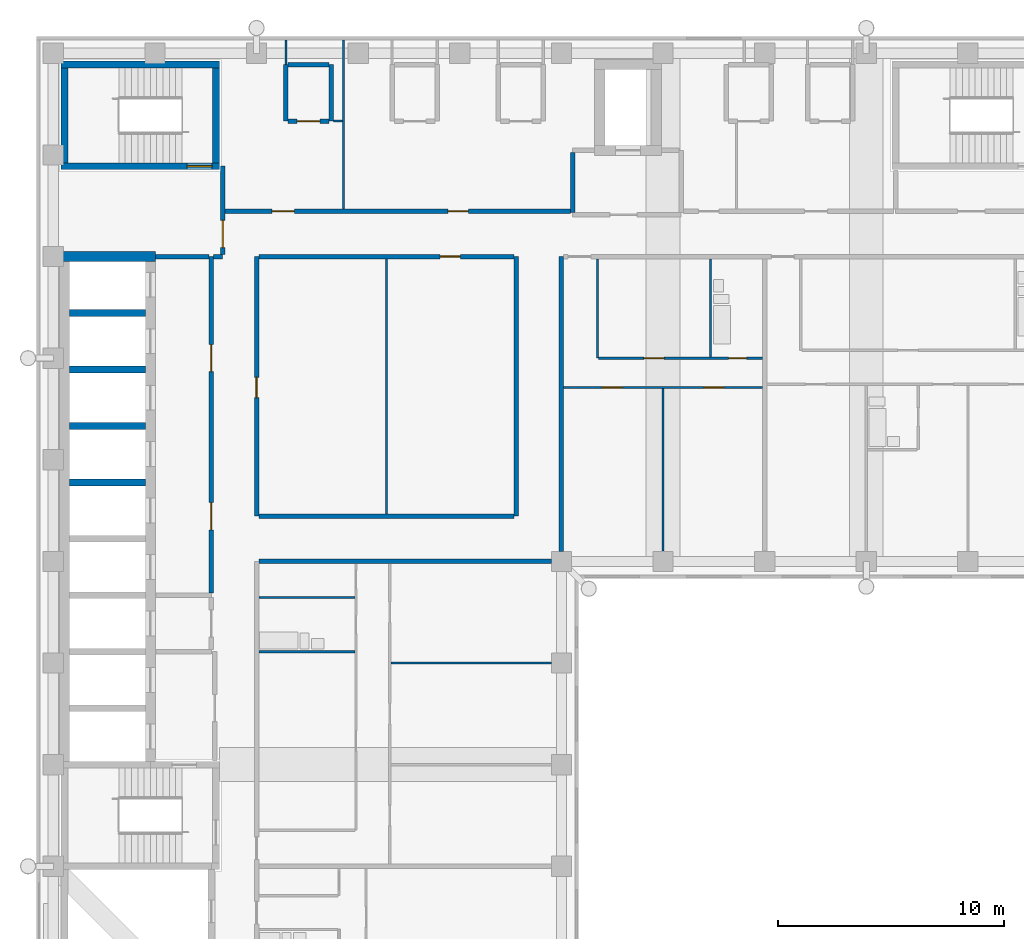
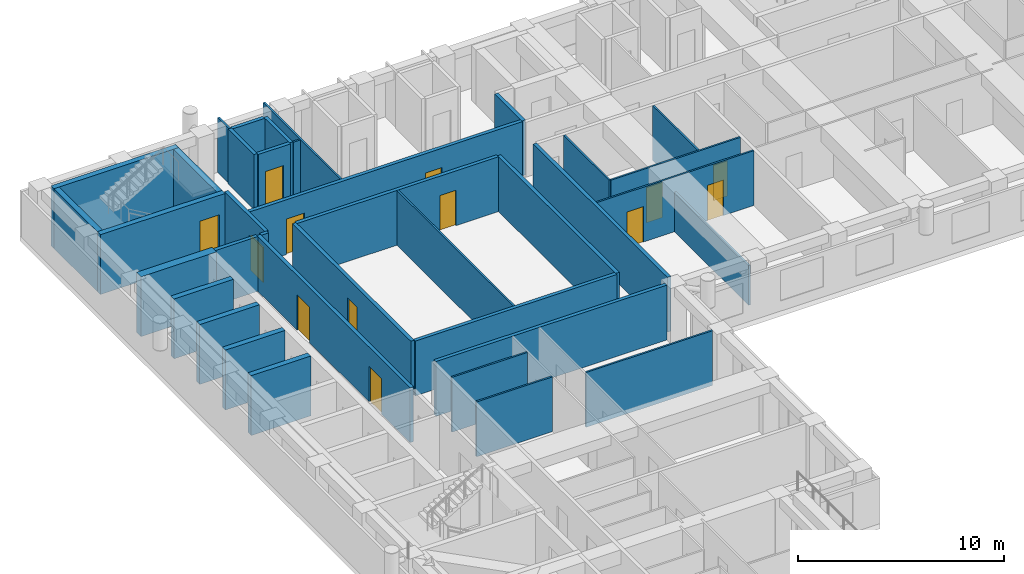
# One storey, part 5 of 11: 37 walls, 13 doors, 13 openings.
"""IFC4 building model written with IfcOpenShell, lengths in metres."""

import ifcopenshell
import ifcopenshell.guid

model = None  # the IFC model being written
_history = None  # IfcOwnerHistory: only IFC2X3 demands one
_inside = {}  # id of a spatial element -> (the spatial element, [elements in it])
_under = {}  # id of a project, library or spatial element -> (it, [spatial elements below it])
_declared = {}  # id of a project -> (the project, [libraries it declares])
_typed = {}  # id of a type object -> (the type object, [elements of that type])
_made_of = {}  # id of a material, layer set ... -> (it, [elements and type objects made of it])


def new_model(schema):
    """Start an empty IFC model of exactly this schema.

    Asked for "IFC4X3", IfcOpenShell would pick the latest addendum, in which some entities
    have other attributes; the version numbers below select the first issue.
    IFC2X3 requires an IfcOwnerHistory on every rooted entity: one is made here for all.
    """
    global model, _history
    if schema == "IFC4X3":
        model = ifcopenshell.file(schema_version=(4, 3, 0, 0))
    else:
        model = ifcopenshell.file(schema=schema)
    _inside.clear()
    _under.clear()
    _declared.clear()
    _typed.clear()
    _made_of.clear()
    _history = None
    if model.schema == "IFC2X3":
        org = make("IfcOrganization", Name="unknown")
        user = make(
            "IfcPersonAndOrganization",
            ThePerson=make("IfcPerson", FamilyName="unknown"),
            TheOrganization=org,
        )
        app = make(
            "IfcApplication",
            ApplicationDeveloper=org,
            Version="unknown",
            ApplicationFullName="unknown",
            ApplicationIdentifier="unknown",
        )
        _history = make(
            "IfcOwnerHistory",
            OwningUser=user,
            OwningApplication=app,
            ChangeAction="ADDED",
            CreationDate=0,
        )
    return model


def make(cls, **values):
    """One entity of the class cls with the attributes given. An attribute that is None is left unset."""
    return model.create_entity(
        cls, **{name: value for name, value in values.items() if value is not None}
    )


def rooted(cls, **values):
    """An entity with a GlobalId (a new one), such as an element, a storey or a relation."""
    return make(cls, GlobalId=ifcopenshell.guid.new(), OwnerHistory=_history, **values)


def si_unit(unit_type, name, prefix=None):
    """IfcSIUnit, for example si_unit("LENGTHUNIT", "METRE", prefix="MILLI")."""
    return make("IfcSIUnit", UnitType=unit_type, Prefix=prefix, Name=name)


def assignment(units):
    """IfcUnitAssignment: the units of a project."""
    return None if units is None else make("IfcUnitAssignment", Units=units)


def point(xyz):
    """IfcCartesianPoint."""
    return None if xyz is None else make("IfcCartesianPoint", Coordinates=xyz)


def direction(xyz):
    """IfcDirection."""
    return None if xyz is None else make("IfcDirection", DirectionRatios=xyz)


def frame(location, z_axis=None, x_axis=None):
    """IfcAxis2Placement3D, a coordinate frame: its origin and axes. An axis left out is left unset."""
    return make(
        "IfcAxis2Placement3D",
        Location=point(location),
        Axis=direction(z_axis),
        RefDirection=direction(x_axis),
    )


def frame_2d(location, x_axis=None):
    """IfcAxis2Placement2D, a coordinate frame in the plane: its origin and x axis."""
    return make(
        "IfcAxis2Placement2D", Location=point(location), RefDirection=direction(x_axis)
    )


def origin():
    """The frame at (0, 0, 0) with its axes left unset."""
    return frame((0.0, 0.0, 0.0))


def place(relative_to, where):
    """IfcLocalPlacement: puts the frame where relative to a parent placement (None: the world)."""
    return make(
        "IfcLocalPlacement", PlacementRelTo=relative_to, RelativePlacement=where
    )


def context(
    kind, dimensions, precision=None, world=None, true_north=None, identifier=None
):
    """IfcGeometricRepresentationContext, for example the 3D "Model" context."""
    return make(
        "IfcGeometricRepresentationContext",
        ContextIdentifier=identifier,
        ContextType=kind,
        CoordinateSpaceDimension=dimensions,
        Precision=precision,
        WorldCoordinateSystem=world,
        TrueNorth=true_north,
    )


def subcontext(parent, identifier, kind, view, scale=None):
    """IfcGeometricRepresentationSubContext, for example "Body" below "Model"."""
    return make(
        "IfcGeometricRepresentationSubContext",
        ContextIdentifier=identifier,
        ContextType=kind,
        ParentContext=parent,
        TargetScale=scale,
        TargetView=view,
    )


def project(units=None, contexts=None):
    """IfcProject with its units and contexts."""
    return rooted(
        "IfcProject",
        Name="project",
        RepresentationContexts=contexts,
        UnitsInContext=assignment(units),
    )


def spatial(cls, under=None, at=None, **own):
    """A site, building, storey or space (cls), placed at a placement, below another one or the project."""
    s = rooted(cls, ObjectPlacement=at, **own)
    if under is not None:
        _under.setdefault(under.id(), (under, []))[1].append(s)
    return s


def profile(cls, at=None, kind="AREA", **sizes):
    """A parametric profile (cls). Its sizes go by their IFC names, for example OverallWidth=200.0."""
    return make(cls, ProfileType=kind, Position=at, **sizes)


def rectangle(**sizes):
    """IfcRectangleProfileDef."""
    return profile("IfcRectangleProfileDef", **sizes)


def extrude(swept, where, along, depth):
    """IfcExtrudedAreaSolid: the profile swept, set in the frame where, extruded along a direction by depth."""
    return make(
        "IfcExtrudedAreaSolid",
        SweptArea=swept,
        Position=where,
        ExtrudedDirection=direction(along),
        Depth=depth,
    )


def shape(context_of_items, identifier, shape_type, items):
    """IfcShapeRepresentation: the items that make up one representation, for example the "Body"."""
    return make(
        "IfcShapeRepresentation",
        ContextOfItems=context_of_items,
        RepresentationIdentifier=identifier,
        RepresentationType=shape_type,
        Items=items,
    )


def material(Name=None, Category=None):
    """IfcMaterial."""
    return make("IfcMaterial", Name=Name, Category=Category)


def layer(
    of_material, thickness, ventilated=None, Name=None, Category=None, Priority=None
):
    """IfcMaterialLayer: one layer of a wall or slab, of a material (None: an air gap)."""
    return make(
        "IfcMaterialLayer",
        Material=of_material,
        LayerThickness=thickness,
        IsVentilated=ventilated,
        Name=Name,
        Category=Category,
        Priority=Priority,
    )


def layer_set(layers, Name=None):
    """IfcMaterialLayerSet."""
    return make("IfcMaterialLayerSet", MaterialLayers=layers, LayerSetName=Name)


def made_of(thing, what):
    """Note that an element or type object is made of a material, layer set ...; save() writes the relation."""
    if what is not None:
        _made_of.setdefault(what.id(), (what, []))[1].append(thing)
    return thing


def type_object(cls, material=None, **own):
    """A type object (cls), such as IfcWallType, which elements share."""
    return made_of(rooted(cls, **own), material)


def element(
    cls,
    number,
    at=None,
    inside=None,
    cuts=None,
    type_object=None,
    material=None,
    context=None,
    identifier="Body",
    shape_type=None,
    held_by="IfcProductDefinitionShape",
    body=None,
    shapes=None,
    **own,
):
    """One element of the class cls, such as IfcWall. Its Tag is "e" and its number.

    at: its placement. inside: the storey or other place that contains it. cuts: it is an
    opening in that element (IfcRelVoidsElement). A single representation is given by context,
    identifier, shape_type and body (its items); several are given by shapes. held_by: the class
    of the entity that holds the representations. save() writes the other relations.
    """
    e = rooted(cls, Tag="e%d" % number, ObjectPlacement=at, **own)
    if body is not None:
        shapes = [shape(context, identifier, shape_type, body)]
    if shapes is not None:
        e.Representation = make(held_by, Representations=shapes)
    if inside is not None:
        _inside.setdefault(inside.id(), (inside, []))[1].append(e)
    if cuts is not None:
        rooted(
            "IfcRelVoidsElement", RelatingBuildingElement=cuts, RelatedOpeningElement=e
        )
    if type_object is not None:
        _typed.setdefault(type_object.id(), (type_object, []))[1].append(e)
    return made_of(e, material)


def fill(opening, filler):
    """IfcRelFillsElement: the door or window that sits in an opening."""
    return rooted(
        "IfcRelFillsElement",
        RelatingOpeningElement=opening,
        RelatedBuildingElement=filler,
    )


def aggregate(whole, parts):
    """IfcRelAggregates: a whole, such as a stair, and the parts it consists of."""
    return rooted("IfcRelAggregates", RelatingObject=whole, RelatedObjects=parts)


def save(model, path):
    """Write the relations noted so far, then the file.

    IfcRelAggregates (storeys below a building ...), IfcRelContainedInSpatialStructure (elements
    in a storey), IfcRelDefinesByType, IfcRelAssociatesMaterial and IfcRelDeclares: one each for
    every whole, place, type object, material and project.
    """
    for whole, parts in _under.values():
        aggregate(whole, parts)
    for where, things in _inside.values():
        rooted(
            "IfcRelContainedInSpatialStructure",
            RelatedElements=things,
            RelatingStructure=where,
        )
    for kind, things in _typed.values():
        rooted("IfcRelDefinesByType", RelatedObjects=things, RelatingType=kind)
    for what, things in _made_of.values():
        rooted("IfcRelAssociatesMaterial", RelatedObjects=things, RelatingMaterial=what)
    for by, libraries in _declared.values():
        rooted("IfcRelDeclares", RelatingContext=by, RelatedDefinitions=libraries)
    model.write(path)


model = new_model("IFC4")

# Units and contexts
model_context = context("Model", 3, precision=1e-05, world=origin(), true_north=direction((0.0, 1.0)))
body_context = subcontext(model_context, "Body", "Model", "MODEL_VIEW")
ifc_project = project(units=[si_unit("LENGTHUNIT", "METRE"), si_unit("AREAUNIT", "SQUARE_METRE"), si_unit("VOLUMEUNIT", "CUBIC_METRE"), si_unit("PLANEANGLEUNIT", "RADIAN"), si_unit("MASSUNIT", "GRAM", prefix="KILO")], contexts=[model_context])

# Site, building, storey
site_placement = place(None, origin())
site = spatial("IfcSite", under=ifc_project, at=site_placement, CompositionType="ELEMENT")
building_placement = place(site_placement, origin())
building = spatial("IfcBuilding", under=site, at=building_placement, Name="Firuza Court", CompositionType="ELEMENT")
storey_placement = place(building_placement, frame((0.0, 0.0, 207.800048828125)))
storey = spatial("IfcBuildingStorey", under=building, at=storey_placement, Name="L53", CompositionType="ELEMENT", Elevation=207.800048828125)

# Walls
ifc_material_1 = material(Name="Moisture-resistant gypsum board partition")
ifc_layer_1 = layer(ifc_material_1, 0.10009765625)
ifc_layer_set_1 = layer_set([ifc_layer_1], Name="Moisture-resistant gypsum board partition")
wall_type_1 = type_object("IfcWallType", Name="Bathroom partition 100", PredefinedType="PLUMBINGWALL", material=ifc_layer_set_1)
for number, where, z_axis, x_axis, name in (
    (1, (9.10009765625, 32.0, 0.0), (0.0, 0.0, 1.0), (1.0, 0.0, 0.0), "Bathroom partition 100 L53"),
    (2, (9.10009765625, 34.39990234375, 0.0), (0.0, 0.0, 1.0), (1.0, 0.0, 0.0), "Bathroom partition 100 L53"),
):
    element("IfcWall", number, at=place(storey_placement, frame(where, z_axis=z_axis, x_axis=x_axis)), inside=storey, type_object=wall_type_1, Name=name, PredefinedType="PLUMBINGWALL", context=body_context, shape_type="SweptSolid", body=[
        extrude(rectangle(XDim=4.25, YDim=0.10009765625, at=frame_2d((2.125, 0.0))), origin(), (0.0, 0.0, 1.0), 3.25),
    ])
wall_1_placement = place(storey_placement, frame((29.10009765625, 45.050048828125, 0.0), z_axis=(0.0, 0.0, 1.0), x_axis=(0.0, 1.0, 0.0)))
element("IfcWall", 3, at=wall_1_placement, inside=storey, type_object=wall_type_1, Name="Bathroom partition 100 L53", PredefinedType="PLUMBINGWALL", context=body_context, shape_type="SweptSolid", body=[
    extrude(rectangle(XDim=4.349853515625, YDim=0.10009765625, at=frame_2d((2.1748046875, 0.0))), origin(), (0.0, 0.0, 1.0), 3.25),
])

# Wall, opening, door
ifc_material_2 = material(Name="Concrete C50/60", Category="concrete")
ifc_layer_2 = layer(ifc_material_2, 0.300048828125)
ifc_layer_set_2 = layer_set([ifc_layer_2], Name="Concrete C50/60")
wall_type_2 = type_object("IfcWallType", Name="Core wall 300 C50/60", PredefinedType="SHEAR", material=ifc_layer_set_2)
wall_2_placement = place(storey_placement, frame((0.35009765625, 53.5, -0.300048828125), z_axis=(0.0, 0.0, 1.0), x_axis=(1.0, 0.0, 0.0)))
wall_2 = element("IfcWall", 4, at=wall_2_placement, inside=storey, type_object=wall_type_2, Name="Core wall stair L53", PredefinedType="SHEAR", context=body_context, shape_type="SweptSolid", body=[
    extrude(rectangle(XDim=7.0, YDim=0.300048828125, at=frame_2d((3.5, 0.0))), origin(), (0.0, 0.0, 1.0), 3.550048828125),
])
opening_1_placement = place(wall_2_placement, frame((5.580078125, 0.0, 0.300048828125)))
opening_1 = element("IfcOpeningElement", 5, at=opening_1_placement, cuts=wall_2, Name="Opening D53014", PredefinedType="OPENING", context=body_context, shape_type="SweptSolid", body=[
    extrude(rectangle(XDim=1.10009765625, YDim=2.10009765625, at=frame_2d((0.550048828125, 1.050048828125))), frame((0.0, 0.162109375, 0.0), z_axis=(0.0, -1.0, 0.0), x_axis=(1.0, 0.0, 0.0)), (0.0, 0.0, 1.0), 0.323974609375),
])
ifc_material_3 = material(Name="Timber door leaf in hardwood frame", Category="wood")
door_type_1 = type_object("IfcDoorType", Name="Stair door 1100", OperationType="SINGLE_SWING_LEFT", PredefinedType="DOOR", material=ifc_material_3)
door_1_placement = place(opening_1_placement, origin())
door_1 = element("IfcDoor", 6, at=door_1_placement, inside=storey, type_object=door_type_1, Name="Stair door S3", OperationType="SINGLE_SWING_RIGHT", OverallHeight=2.10009765625, OverallWidth=1.10009765625, PredefinedType="DOOR", context=body_context, shape_type="SweptSolid", body=[
    extrude(rectangle(XDim=1.10009765625, YDim=2.10009765625, at=frame_2d((0.550048828125, 1.050048828125))), frame((0.0, 0.02490234375, 0.0), z_axis=(0.0, -1.0, 0.0), x_axis=(1.0, 0.0, 0.0)), (0.0, 0.0, 1.0), 0.050048828125),
])
fill(opening_1, door_1)

# Walls
wall_3_placement = place(storey_placement, frame((0.35009765625, 58.0, -0.300048828125), z_axis=(0.0, 0.0, 1.0), x_axis=(1.0, 0.0, 0.0)))
element("IfcWall", 7, at=wall_3_placement, inside=storey, type_object=wall_type_2, Name="Core wall stair L53", PredefinedType="SHEAR", context=body_context, shape_type="SweptSolid", body=[
    extrude(rectangle(XDim=7.0, YDim=0.300048828125, at=frame_2d((3.5, 0.0))), origin(), (0.0, 0.0, 1.0), 3.550048828125),
])
wall_4_placement = place(storey_placement, frame((0.5, 53.64990234375, -0.300048828125), z_axis=(0.0, 0.0, 1.0), x_axis=(0.0, 1.0, 0.0)))
element("IfcWall", 8, at=wall_4_placement, inside=storey, type_object=wall_type_2, Name="Core wall stair L53", PredefinedType="SHEAR", context=body_context, shape_type="SweptSolid", body=[
    extrude(rectangle(XDim=4.2001953125, YDim=0.300048828125, at=frame_2d((2.10009765625, 0.0))), origin(), (0.0, 0.0, 1.0), 3.550048828125),
])
for number, where, z_axis, x_axis, name in (
    (9, (0.72509765625, 39.5, -0.300048828125), (0.0, 0.0, 1.0), (1.0, 0.0, 0.0), "Core wall lift shaft L53"),
    (10, (0.72509765625, 42.0, -0.300048828125), (0.0, 0.0, 1.0), (1.0, 0.0, 0.0), "Core wall lift shaft L53"),
    (11, (0.72509765625, 44.5, -0.300048828125), (0.0, 0.0, 1.0), (1.0, 0.0, 0.0), "Core wall lift shaft L53"),
    (12, (0.72509765625, 47.0, -0.300048828125), (0.0, 0.0, 1.0), (1.0, 0.0, 0.0), "Core wall lift shaft L53"),
):
    element("IfcWall", number, at=place(storey_placement, frame(where, z_axis=z_axis, x_axis=x_axis)), inside=storey, type_object=wall_type_2, Name=name, PredefinedType="SHEAR", context=body_context, shape_type="SweptSolid", body=[
        extrude(rectangle(XDim=3.349853515625, YDim=0.300048828125, at=frame_2d((1.6748046875, 0.0))), origin(), (0.0, 0.0, 1.0), 3.550048828125),
    ])
wall_5_placement = place(storey_placement, frame((7.199951171875, 53.64990234375, -0.300048828125), z_axis=(0.0, 0.0, 1.0), x_axis=(0.0, 1.0, 0.0)))
element("IfcWall", 13, at=wall_5_placement, inside=storey, type_object=wall_type_2, Name="Core wall stair L53", PredefinedType="SHEAR", context=body_context, shape_type="SweptSolid", body=[
    extrude(rectangle(XDim=4.2001953125, YDim=0.300048828125, at=frame_2d((2.10009765625, 0.0))), origin(), (0.0, 0.0, 1.0), 3.550048828125),
])
ifc_layer_3 = layer(ifc_material_2, 0.449951171875)
ifc_layer_set_3 = layer_set([ifc_layer_3], Name="Concrete C50/60")
wall_type_3 = type_object("IfcWallType", Name="Core wall 450 C50/60", PredefinedType="SHEAR", material=ifc_layer_set_3)
wall_6_placement = place(storey_placement, frame((0.27490234375, 49.5, -0.300048828125), z_axis=(0.0, 0.0, 1.0), x_axis=(1.0, 0.0, 0.0)))
element("IfcWall", 14, at=wall_6_placement, inside=storey, type_object=wall_type_3, Name="Core wall lift shaft L53", PredefinedType="SHEAR", context=body_context, shape_type="SweptSolid", body=[
    extrude(rectangle(XDim=4.25, YDim=0.449951171875, at=frame_2d((2.125, 0.0))), origin(), (0.0, 0.0, 1.0), 3.550048828125),
])

# Wall, opening, door
ifc_material_4 = material(Name="Blockwork, plastered both sides", Category="masonry")
ifc_layer_4 = layer(ifc_material_4, 0.199951171875)
ifc_layer_set_4 = layer_set([ifc_layer_4], Name="Blockwork, plastered both sides")
wall_type_4 = type_object("IfcWallType", Name="Corridor wall 200", PredefinedType="PARTITIONING", material=ifc_layer_set_4)
wall_7_placement = place(storey_placement, frame((9.0, 38.0, 0.0), z_axis=(0.0, 0.0, 1.0), x_axis=(0.0, 1.0, 0.0)))
wall_7 = element("IfcWall", 15, at=wall_7_placement, inside=storey, type_object=wall_type_4, Name="Corridor wall 200 L53", PredefinedType="PARTITIONING", context=body_context, shape_type="SweptSolid", body=[
    extrude(rectangle(XDim=11.5, YDim=0.199951171875, at=frame_2d((5.75, 0.0))), origin(), (0.0, 0.0, 1.0), 3.25),
])
opening_2_placement = place(wall_7_placement, frame((5.25, 0.0, 0.0)))
opening_2 = element("IfcOpeningElement", 16, at=opening_2_placement, cuts=wall_7, Name="Opening D53034", PredefinedType="OPENING", context=body_context, shape_type="SweptSolid", body=[
    extrude(rectangle(XDim=0.89990234375, YDim=2.10009765625, at=frame_2d((0.449951171875, 1.050048828125))), frame((0.0, 0.11181640625, 0.0), z_axis=(0.0, -1.0, 0.0), x_axis=(1.0, 0.0, 0.0)), (0.0, 0.0, 1.0), 0.223876953125),
])
ifc_material_5 = material(Name="Timber door leaf in hardwood frame", Category="wood")
door_type_2 = type_object("IfcDoorType", Name="Room door 900 EI 30", OperationType="SINGLE_SWING_LEFT", PredefinedType="DOOR", material=ifc_material_5)
door_2_placement = place(opening_2_placement, origin())
door_2 = element("IfcDoor", 17, at=door_2_placement, inside=storey, type_object=door_type_2, Name="Private dining room door", OperationType="SINGLE_SWING_LEFT", OverallHeight=2.10009765625, OverallWidth=0.89990234375, PredefinedType="DOOR", context=body_context, shape_type="SweptSolid", body=[
    extrude(rectangle(XDim=0.89990234375, YDim=2.10009765625, at=frame_2d((0.449951171875, 1.050048828125))), frame((0.0, 0.02490234375, 0.0), z_axis=(0.0, -1.0, 0.0), x_axis=(1.0, 0.0, 0.0)), (0.0, 0.0, 1.0), 0.050048828125),
])
fill(opening_2, door_2)

# Walls
wall_8_placement = place(storey_placement, frame((9.10009765625, 38.0, 0.0), z_axis=(0.0, 0.0, 1.0), x_axis=(1.0, 0.0, 0.0)))
element("IfcWall", 18, at=wall_8_placement, inside=storey, type_object=wall_type_4, Name="Corridor wall 200 L53", PredefinedType="PARTITIONING", context=body_context, shape_type="SweptSolid", body=[
    extrude(rectangle(XDim=11.2998046875, YDim=0.199951171875, at=frame_2d((5.64990234375, 0.0))), origin(), (0.0, 0.0, 1.0), 3.25),
])
wall_9_placement = place(storey_placement, frame((20.5, 38.0, 0.0), z_axis=(0.0, 0.0, 1.0), x_axis=(0.0, 1.0, 0.0)))
element("IfcWall", 19, at=wall_9_placement, inside=storey, type_object=wall_type_4, Name="Corridor wall 200 L53", PredefinedType="PARTITIONING", context=body_context, shape_type="SweptSolid", body=[
    extrude(rectangle(XDim=11.5, YDim=0.199951171875, at=frame_2d((5.75, 0.0))), origin(), (0.0, 0.0, 1.0), 3.25),
])

# Wall, opening, door
wall_10_placement = place(storey_placement, frame((9.10009765625, 49.5, 0.0), z_axis=(0.0, 0.0, 1.0), x_axis=(1.0, 0.0, 0.0)))
wall_10 = element("IfcWall", 20, at=wall_10_placement, inside=storey, type_object=wall_type_4, Name="Corridor wall 200 L53", PredefinedType="PARTITIONING", context=body_context, shape_type="SweptSolid", body=[
    extrude(rectangle(XDim=11.2998046875, YDim=0.199951171875, at=frame_2d((5.64990234375, 0.0))), origin(), (0.0, 0.0, 1.0), 3.25),
])
opening_3_placement = place(wall_10_placement, frame((8.02490234375, 0.0, 0.0)))
opening_3 = element("IfcOpeningElement", 21, at=opening_3_placement, cuts=wall_10, Name="Opening D53049", PredefinedType="OPENING", context=body_context, shape_type="SweptSolid", body=[
    extrude(rectangle(XDim=0.89990234375, YDim=2.10009765625, at=frame_2d((0.449951171875, 1.050048828125))), frame((0.0, 0.11181640625, 0.0), z_axis=(0.0, -1.0, 0.0), x_axis=(1.0, 0.0, 0.0)), (0.0, 0.0, 1.0), 0.223876953125),
])
door_3_placement = place(opening_3_placement, origin())
door_3 = element("IfcDoor", 22, at=door_3_placement, inside=storey, type_object=door_type_2, Name="Residents' club lounge door", OperationType="SINGLE_SWING_LEFT", OverallHeight=2.10009765625, OverallWidth=0.89990234375, PredefinedType="DOOR", context=body_context, shape_type="SweptSolid", body=[
    extrude(rectangle(XDim=0.89990234375, YDim=2.10009765625, at=frame_2d((0.449951171875, 1.050048828125))), frame((0.0, 0.02490234375, 0.0), z_axis=(0.0, -1.0, 0.0), x_axis=(1.0, 0.0, 0.0)), (0.0, 0.0, 1.0), 0.050048828125),
])
fill(opening_3, door_3)

# Wall, openings, doors
wall_11_placement = place(storey_placement, frame((7.60009765625, 51.5, 0.0), z_axis=(0.0, 0.0, 1.0), x_axis=(1.0, 0.0, 0.0)))
wall_11 = element("IfcWall", 23, at=wall_11_placement, inside=storey, type_object=wall_type_4, Name="Corridor wall 200 L53", PredefinedType="PARTITIONING", context=body_context, shape_type="SweptSolid", body=[
    extrude(rectangle(XDim=15.2998046875, YDim=0.199951171875, at=frame_2d((7.64990234375, 0.0))), origin(), (0.0, 0.0, 1.0), 3.25),
])
opening_4_placement = place(wall_11_placement, frame((2.074951171875, 0.0, 0.0)))
opening_4 = element("IfcOpeningElement", 24, at=opening_4_placement, cuts=wall_11, Name="Opening D53053", PredefinedType="OPENING", context=body_context, shape_type="SweptSolid", body=[
    extrude(rectangle(XDim=1.0, YDim=2.10009765625, at=frame_2d((0.5, 1.050048828125))), frame((0.0, 0.11181640625, 0.0), z_axis=(0.0, -1.0, 0.0), x_axis=(1.0, 0.0, 0.0)), (0.0, 0.0, 1.0), 0.223876953125),
])
opening_5_placement = place(wall_11_placement, frame((9.875, 0.0, 0.0)))
opening_5 = element("IfcOpeningElement", 25, at=opening_5_placement, cuts=wall_11, Name="Opening D53054", PredefinedType="OPENING", context=body_context, shape_type="SweptSolid", body=[
    extrude(rectangle(XDim=0.89990234375, YDim=2.10009765625, at=frame_2d((0.449951171875, 1.050048828125))), frame((0.0, 0.11181640625, 0.0), z_axis=(0.0, -1.0, 0.0), x_axis=(1.0, 0.0, 0.0)), (0.0, 0.0, 1.0), 0.223876953125),
])
door_4_placement = place(opening_5_placement, origin())
door_4 = element("IfcDoor", 26, at=door_4_placement, inside=storey, type_object=door_type_2, Name="Residents' workroom door", OperationType="SINGLE_SWING_LEFT", OverallHeight=2.10009765625, OverallWidth=0.89990234375, PredefinedType="DOOR", context=body_context, shape_type="SweptSolid", body=[
    extrude(rectangle(XDim=0.89990234375, YDim=2.10009765625, at=frame_2d((0.449951171875, 1.050048828125))), frame((0.0, 0.02490234375, 0.0), z_axis=(0.0, -1.0, 0.0), x_axis=(1.0, 0.0, 0.0)), (0.0, 0.0, 1.0), 0.050048828125),
])
fill(opening_5, door_4)
ifc_material_6 = material(Name="Timber door leaf in hardwood frame", Category="wood")
door_type_3 = type_object("IfcDoorType", Name="Store door 1000", OperationType="SINGLE_SWING_LEFT", PredefinedType="DOOR", material=ifc_material_6)
door_5_placement = place(opening_4_placement, origin())
door_5 = element("IfcDoor", 27, at=door_5_placement, inside=storey, type_object=door_type_3, Name="Valet store door", OperationType="SINGLE_SWING_LEFT", OverallHeight=2.10009765625, OverallWidth=1.0, PredefinedType="DOOR", context=body_context, shape_type="SweptSolid", body=[
    extrude(rectangle(XDim=1.0, YDim=2.10009765625, at=frame_2d((0.5, 1.050048828125))), frame((0.0, 0.02490234375, 0.0), z_axis=(0.0, -1.0, 0.0), x_axis=(1.0, 0.0, 0.0)), (0.0, 0.0, 1.0), 0.050048828125),
])
fill(opening_4, door_5)

# Walls
ifc_material_7 = material(Name="Timber stud partition, plasterboard both sides", Category="wood")
ifc_layer_5 = layer(ifc_material_7, 0.10009765625)
ifc_layer_set_5 = layer_set([ifc_layer_5], Name="Timber stud partition, plasterboard both sides")
wall_type_5 = type_object("IfcWallType", Name="Partition wall 100", PredefinedType="PARTITIONING", material=ifc_layer_set_5)
wall_12_placement = place(storey_placement, frame((14.949951171875, 31.5, 0.0), z_axis=(0.0, 0.0, 1.0), x_axis=(1.0, 0.0, 0.0)))
element("IfcWall", 28, at=wall_12_placement, inside=storey, type_object=wall_type_5, Name="Partition wall 100 L53", PredefinedType="PARTITIONING", context=body_context, shape_type="SweptSolid", body=[
    extrude(rectangle(XDim=7.10009765625, YDim=0.10009765625, at=frame_2d((3.550048828125, 0.0))), origin(), (0.0, 0.0, 1.0), 3.25),
])
wall_13_placement = place(storey_placement, frame((27.0, 36.449951171875, 0.0), z_axis=(0.0, 0.0, 1.0), x_axis=(0.0, 1.0, 0.0)))
element("IfcWall", 29, at=wall_13_placement, inside=storey, type_object=wall_type_5, Name="Partition wall 100 L53", PredefinedType="PARTITIONING", context=body_context, shape_type="SweptSolid", body=[
    extrude(rectangle(XDim=7.199951171875, YDim=0.10009765625, at=frame_2d((3.60009765625, 0.0))), origin(), (0.0, 0.0, 1.0), 2.349853515625),
])
wall_14_placement = place(storey_placement, frame((14.75, 38.10009765625, 0.0), z_axis=(0.0, 0.0, 1.0), x_axis=(0.0, 1.0, 0.0)))
element("IfcWall", 30, at=wall_14_placement, inside=storey, type_object=wall_type_5, Name="Partition wall 100 L53", PredefinedType="PARTITIONING", context=body_context, shape_type="SweptSolid", body=[
    extrude(rectangle(XDim=11.2998046875, YDim=0.10009765625, at=frame_2d((5.64990234375, 0.0))), origin(), (0.0, 0.0, 1.0), 3.25),
])

# Wall, openings, doors
wall_15_placement = place(storey_placement, frame((22.60009765625, 43.699951171875, 0.0), z_axis=(0.0, 0.0, 1.0), x_axis=(1.0, 0.0, 0.0)))
wall_15 = element("IfcWall", 31, at=wall_15_placement, inside=storey, type_object=wall_type_5, Name="Partition wall 100 L53", PredefinedType="PARTITIONING", context=body_context, shape_type="SweptSolid", body=[
    extrude(rectangle(XDim=8.7998046875, YDim=0.10009765625, at=frame_2d((4.39990234375, 0.0))), origin(), (0.0, 0.0, 1.0), 3.25),
])
opening_6_placement = place(wall_15_placement, frame((1.699951171875, 0.0, 0.0)))
opening_6 = element("IfcOpeningElement", 32, at=opening_6_placement, cuts=wall_15, Name="Opening D53036", PredefinedType="OPENING", context=body_context, shape_type="SweptSolid", body=[
    extrude(rectangle(XDim=0.89990234375, YDim=2.10009765625, at=frame_2d((0.449951171875, 1.050048828125))), frame((0.0, 0.06201171875, 0.0), z_axis=(0.0, -1.0, 0.0), x_axis=(1.0, 0.0, 0.0)), (0.0, 0.0, 1.0), 0.1240234375),
])
opening_7_placement = place(wall_15_placement, frame((6.199951171875, 0.0, 0.0)))
opening_7 = element("IfcOpeningElement", 33, at=opening_7_placement, cuts=wall_15, Name="Opening D53037", PredefinedType="OPENING", context=body_context, shape_type="SweptSolid", body=[
    extrude(rectangle(XDim=0.89990234375, YDim=2.10009765625, at=frame_2d((0.449951171875, 1.050048828125))), frame((0.0, 0.06201171875, 0.0), z_axis=(0.0, -1.0, 0.0), x_axis=(1.0, 0.0, 0.0)), (0.0, 0.0, 1.0), 0.1240234375),
])
ifc_material_8 = material(Name="Timber door leaf in hardwood frame", Category="wood")
door_type_4 = type_object("IfcDoorType", Name="Room door 900", OperationType="SINGLE_SWING_LEFT", PredefinedType="DOOR", material=ifc_material_8)
door_6_placement = place(opening_6_placement, frame((0.89990234375, 0.0, 0.0), z_axis=(0.0, 0.0, 1.0), x_axis=(-1.0, 0.0, 0.0)))
door_6 = element("IfcDoor", 34, at=door_6_placement, inside=storey, type_object=door_type_4, Name="Bedroom door", OperationType="SINGLE_SWING_RIGHT", OverallHeight=2.10009765625, OverallWidth=0.89990234375, PredefinedType="DOOR", context=body_context, shape_type="SweptSolid", body=[
    extrude(rectangle(XDim=0.89990234375, YDim=2.10009765625, at=frame_2d((0.449951171875, 1.050048828125))), frame((0.0, 0.02490234375, 0.0), z_axis=(0.0, -1.0, 0.0), x_axis=(1.0, 0.0, 0.0)), (0.0, 0.0, 1.0), 0.050048828125),
])
fill(opening_6, door_6)
door_7_placement = place(opening_7_placement, frame((0.89990234375, 0.0, 0.0), z_axis=(0.0, 0.0, 1.0), x_axis=(-1.0, 0.0, 0.0)))
door_7 = element("IfcDoor", 35, at=door_7_placement, inside=storey, type_object=door_type_4, Name="Living room door", OperationType="SINGLE_SWING_RIGHT", OverallHeight=2.10009765625, OverallWidth=0.89990234375, PredefinedType="DOOR", context=body_context, shape_type="SweptSolid", body=[
    extrude(rectangle(XDim=0.89990234375, YDim=2.10009765625, at=frame_2d((0.449951171875, 1.050048828125))), frame((0.0, 0.02490234375, 0.0), z_axis=(0.0, -1.0, 0.0), x_axis=(1.0, 0.0, 0.0)), (0.0, 0.0, 1.0), 0.050048828125),
])
fill(opening_7, door_7)

# Wall
wall_16_placement = place(storey_placement, frame((24.10009765625, 45.0, 0.0), z_axis=(0.0, 0.0, 1.0), x_axis=(0.0, 1.0, 0.0)))
element("IfcWall", 36, at=wall_16_placement, inside=storey, type_object=wall_type_5, Name="Partition wall 100 L53", PredefinedType="PARTITIONING", context=body_context, shape_type="SweptSolid", body=[
    extrude(rectangle(XDim=4.39990234375, YDim=0.10009765625, at=frame_2d((2.199951171875, 0.0))), origin(), (0.0, 0.0, 1.0), 3.25),
])

# Wall, openings, doors
wall_17_placement = place(storey_placement, frame((24.14990234375, 45.0, 0.0), z_axis=(0.0, 0.0, 1.0), x_axis=(1.0, 0.0, 0.0)))
wall_17 = element("IfcWall", 37, at=wall_17_placement, inside=storey, type_object=wall_type_5, Name="Partition wall 100 L53", PredefinedType="PARTITIONING", context=body_context, shape_type="SweptSolid", body=[
    extrude(rectangle(XDim=7.25, YDim=0.10009765625, at=frame_2d((3.625, 0.0))), origin(), (0.0, 0.0, 1.0), 3.25),
])
opening_8_placement = place(wall_17_placement, frame((5.75, 0.0, 0.0)))
opening_8 = element("IfcOpeningElement", 38, at=opening_8_placement, cuts=wall_17, Name="Opening D53042", PredefinedType="OPENING", context=body_context, shape_type="SweptSolid", body=[
    extrude(rectangle(XDim=0.800048828125, YDim=2.10009765625, at=frame_2d((0.39990234375, 1.050048828125))), frame((0.0, 0.06201171875, 0.0), z_axis=(0.0, -1.0, 0.0), x_axis=(1.0, 0.0, 0.0)), (0.0, 0.0, 1.0), 0.1240234375),
])
opening_9_placement = place(wall_17_placement, frame((2.0, 0.0, 0.0)))
opening_9 = element("IfcOpeningElement", 39, at=opening_9_placement, cuts=wall_17, Name="Opening D53043", PredefinedType="OPENING", context=body_context, shape_type="SweptSolid", body=[
    extrude(rectangle(XDim=0.89990234375, YDim=2.10009765625, at=frame_2d((0.449951171875, 1.050048828125))), frame((0.0, 0.06201171875, 0.0), z_axis=(0.0, -1.0, 0.0), x_axis=(1.0, 0.0, 0.0)), (0.0, 0.0, 1.0), 0.1240234375),
])
ifc_material_9 = material(Name="Timber door leaf in hardwood frame", Category="wood")
door_type_5 = type_object("IfcDoorType", Name="Bathroom door 800", OperationType="SINGLE_SWING_LEFT", PredefinedType="DOOR", material=ifc_material_9)
door_8_placement = place(opening_8_placement, origin())
door_8 = element("IfcDoor", 40, at=door_8_placement, inside=storey, type_object=door_type_5, Name="Bathroom door", OperationType="SINGLE_SWING_LEFT", OverallHeight=2.10009765625, OverallWidth=0.800048828125, PredefinedType="DOOR", context=body_context, shape_type="SweptSolid", body=[
    extrude(rectangle(XDim=0.800048828125, YDim=2.10009765625, at=frame_2d((0.39990234375, 1.050048828125))), frame((0.0, 0.02490234375, 0.0), z_axis=(0.0, -1.0, 0.0), x_axis=(1.0, 0.0, 0.0)), (0.0, 0.0, 1.0), 0.050048828125),
])
fill(opening_8, door_8)
door_9_placement = place(opening_9_placement, origin())
door_9 = element("IfcDoor", 41, at=door_9_placement, inside=storey, type_object=door_type_4, Name="Kitchen door", OperationType="SINGLE_SWING_LEFT", OverallHeight=2.10009765625, OverallWidth=0.89990234375, PredefinedType="DOOR", context=body_context, shape_type="SweptSolid", body=[
    extrude(rectangle(XDim=0.89990234375, YDim=2.10009765625, at=frame_2d((0.449951171875, 1.050048828125))), frame((0.0, 0.02490234375, 0.0), z_axis=(0.0, -1.0, 0.0), x_axis=(1.0, 0.0, 0.0)), (0.0, 0.0, 1.0), 0.050048828125),
])
fill(opening_9, door_9)

# Walls
wall_18_placement = place(storey_placement, frame((12.85009765625, 51.60009765625, 0.0), z_axis=(0.0, 0.0, 1.0), x_axis=(0.0, 1.0, 0.0)))
element("IfcWall", 42, at=wall_18_placement, inside=storey, type_object=wall_type_5, Name="Partition wall 100 L53", PredefinedType="PARTITIONING", context=body_context, shape_type="SweptSolid", body=[
    extrude(rectangle(XDim=7.5, YDim=0.10009765625, at=frame_2d((3.75, 0.0))), origin(), (0.0, 0.0, 1.0), 3.25),
])
wall_19_placement = place(storey_placement, frame((12.39990234375, 55.5, 0.0), z_axis=(0.0, 0.0, 1.0), x_axis=(1.0, 0.0, 0.0)))
element("IfcWall", 43, at=wall_19_placement, inside=storey, type_object=wall_type_5, Name="Partition wall 100 L53", PredefinedType="PARTITIONING", context=body_context, shape_type="SweptSolid", body=[
    extrude(rectangle(XDim=0.400146484375, YDim=0.10009765625, at=frame_2d((0.2001953125, 0.0))), origin(), (0.0, 0.0, 1.0), 3.25),
])
wall_20_placement = place(storey_placement, frame((10.300048828125, 58.0, 0.0), z_axis=(0.0, 0.0, 1.0), x_axis=(0.0, 1.0, 0.0)))
element("IfcWall", 44, at=wall_20_placement, inside=storey, type_object=wall_type_5, Name="Partition wall 100 L53", PredefinedType="PARTITIONING", context=body_context, shape_type="SweptSolid", body=[
    extrude(rectangle(XDim=1.10009765625, YDim=0.10009765625, at=frame_2d((0.550048828125, 0.0))), origin(), (0.0, 0.0, 1.0), 3.25),
])
ifc_layer_6 = layer(ifc_material_4, 0.199951171875)
ifc_layer_set_6 = layer_set([ifc_layer_6], Name="Blockwork, plastered both sides")
wall_type_6 = type_object("IfcWallType", Name="Party wall 200", PredefinedType="PARTITIONING", material=ifc_layer_set_6)
wall_21_placement = place(storey_placement, frame((9.10009765625, 36.0, 0.0), z_axis=(0.0, 0.0, 1.0), x_axis=(1.0, 0.0, 0.0)))
element("IfcWall", 45, at=wall_21_placement, inside=storey, type_object=wall_type_6, Name="Party wall 200 L53", PredefinedType="PARTITIONING", context=body_context, shape_type="SweptSolid", body=[
    extrude(rectangle(XDim=12.949951171875, YDim=0.199951171875, at=frame_2d((6.47509765625, 0.0))), origin(), (0.0, 0.0, 1.0), 3.25),
])
wall_22_placement = place(storey_placement, frame((22.5, 36.449951171875, 0.0), z_axis=(0.0, 0.0, 1.0), x_axis=(0.0, 1.0, 0.0)))
element("IfcWall", 46, at=wall_22_placement, inside=storey, type_object=wall_type_6, Name="Party wall 200 L53", PredefinedType="PARTITIONING", context=body_context, shape_type="SweptSolid", body=[
    extrude(rectangle(XDim=13.050048828125, YDim=0.199951171875, at=frame_2d((6.52490234375, 0.0))), origin(), (0.0, 0.0, 1.0), 3.25),
])
ifc_material_10 = material(Name="Blockwork, fire-rated", Category="masonry")
ifc_layer_7 = layer(ifc_material_10, 0.199951171875)
ifc_layer_set_7 = layer_set([ifc_layer_7], Name="Blockwork, fire-rated")
wall_type_7 = type_object("IfcWallType", Name="Plant room wall 200", PredefinedType="PARTITIONING", material=ifc_layer_set_7)
wall_23_placement = place(storey_placement, frame((10.300048828125, 55.5, 0.0), z_axis=(0.0, 0.0, 1.0), x_axis=(0.0, 1.0, 0.0)))
element("IfcWall", 47, at=wall_23_placement, inside=storey, type_object=wall_type_7, Name="Plant room wall 200 L53", PredefinedType="PARTITIONING", context=body_context, shape_type="SweptSolid", body=[
    extrude(rectangle(XDim=2.5, YDim=0.199951171875, at=frame_2d((1.25, 0.0))), origin(), (0.0, 0.0, 1.0), 3.25),
])

# Wall, opening, door
wall_24_placement = place(storey_placement, frame((10.39990234375, 55.5, 0.0), z_axis=(0.0, 0.0, 1.0), x_axis=(1.0, 0.0, 0.0)))
wall_24 = element("IfcWall", 48, at=wall_24_placement, inside=storey, type_object=wall_type_7, Name="Plant room wall 200 L53", PredefinedType="PARTITIONING", context=body_context, shape_type="SweptSolid", body=[
    extrude(rectangle(XDim=1.800048828125, YDim=0.199951171875, at=frame_2d((0.89990234375, 0.0))), origin(), (0.0, 0.0, 1.0), 3.25),
])
opening_10_placement = place(wall_24_placement, frame((0.39990234375, 0.0, 0.0)))
opening_10 = element("IfcOpeningElement", 49, at=opening_10_placement, cuts=wall_24, Name="Opening D53059", PredefinedType="OPENING", context=body_context, shape_type="SweptSolid", body=[
    extrude(rectangle(XDim=1.0, YDim=2.10009765625, at=frame_2d((0.5, 1.050048828125))), frame((0.0, 0.11181640625, 0.0), z_axis=(0.0, -1.0, 0.0), x_axis=(1.0, 0.0, 0.0)), (0.0, 0.0, 1.0), 0.223876953125),
])
ifc_material_11 = material(Name="Timber door leaf in hardwood frame", Category="wood")
door_type_6 = type_object("IfcDoorType", Name="Riser door 1000", OperationType="SINGLE_SWING_LEFT", PredefinedType="DOOR", material=ifc_material_11)
door_10_placement = place(opening_10_placement, origin())
door_10 = element("IfcDoor", 50, at=door_10_placement, inside=storey, type_object=door_type_6, Name="Comms riser door", OperationType="SINGLE_SWING_LEFT", OverallHeight=2.10009765625, OverallWidth=1.0, PredefinedType="DOOR", context=body_context, shape_type="SweptSolid", body=[
    extrude(rectangle(XDim=1.0, YDim=2.10009765625, at=frame_2d((0.5, 1.050048828125))), frame((0.0, 0.02490234375, 0.0), z_axis=(0.0, -1.0, 0.0), x_axis=(1.0, 0.0, 0.0)), (0.0, 0.0, 1.0), 0.050048828125),
])
fill(opening_10, door_10)

# Walls
wall_25_placement = place(storey_placement, frame((12.300048828125, 55.5, 0.0), z_axis=(0.0, 0.0, 1.0), x_axis=(0.0, 1.0, 0.0)))
element("IfcWall", 51, at=wall_25_placement, inside=storey, type_object=wall_type_7, Name="Plant room wall 200 L53", PredefinedType="PARTITIONING", context=body_context, shape_type="SweptSolid", body=[
    extrude(rectangle(XDim=2.5, YDim=0.199951171875, at=frame_2d((1.25, 0.0))), origin(), (0.0, 0.0, 1.0), 3.25),
])
wall_26_placement = place(storey_placement, frame((10.39990234375, 58.0, 0.0), z_axis=(0.0, 0.0, 1.0), x_axis=(1.0, 0.0, 0.0)))
element("IfcWall", 52, at=wall_26_placement, inside=storey, type_object=wall_type_7, Name="Plant room wall 200 L53", PredefinedType="PARTITIONING", context=body_context, shape_type="SweptSolid", body=[
    extrude(rectangle(XDim=1.800048828125, YDim=0.199951171875, at=frame_2d((0.89990234375, 0.0))), origin(), (0.0, 0.0, 1.0), 3.25),
])

# Wall, openings, doors
ifc_layer_8 = layer(ifc_material_10, 0.199951171875)
ifc_layer_set_8 = layer_set([ifc_layer_8], Name="Blockwork, fire-rated")
wall_type_8 = type_object("IfcWallType", Name="Shaft wall 200", PredefinedType="PARTITIONING", material=ifc_layer_set_8)
wall_27_placement = place(storey_placement, frame((7.0, 34.60009765625, 0.0), z_axis=(0.0, 0.0, 1.0), x_axis=(0.0, 1.0, 0.0)))
wall_27 = element("IfcWall", 53, at=wall_27_placement, inside=storey, type_object=wall_type_8, Name="Shaft wall 200 L53", PredefinedType="PARTITIONING", context=body_context, shape_type="SweptSolid", body=[
    extrude(rectangle(XDim=14.89990234375, YDim=0.199951171875, at=frame_2d((7.449951171875, 0.0))), origin(), (0.0, 0.0, 1.0), 3.25),
])
opening_11_placement = place(wall_27_placement, frame((2.800048828125, 0.0, 0.0)))
opening_11 = element("IfcOpeningElement", 54, at=opening_11_placement, cuts=wall_27, Name="Opening D53004", PredefinedType="OPENING", context=body_context, shape_type="SweptSolid", body=[
    extrude(rectangle(XDim=1.199951171875, YDim=2.10009765625, at=frame_2d((0.60009765625, 1.050048828125))), frame((0.0, 0.11181640625, 0.0), z_axis=(0.0, -1.0, 0.0), x_axis=(1.0, 0.0, 0.0)), (0.0, 0.0, 1.0), 0.223876953125),
])
opening_12_placement = place(wall_27_placement, frame((9.800048828125, 0.0, 0.0)))
opening_12 = element("IfcOpeningElement", 55, at=opening_12_placement, cuts=wall_27, Name="Opening D53005", PredefinedType="OPENING", context=body_context, shape_type="SweptSolid", body=[
    extrude(rectangle(XDim=1.199951171875, YDim=2.10009765625, at=frame_2d((0.60009765625, 1.050048828125))), frame((0.0, 0.11181640625, 0.0), z_axis=(0.0, -1.0, 0.0), x_axis=(1.0, 0.0, 0.0)), (0.0, 0.0, 1.0), 0.223876953125),
])
ifc_material_12 = material(Name="Timber door leaf in hardwood frame", Category="wood")
door_type_7 = type_object("IfcDoorType", Name="Lobby door 1200", OperationType="SINGLE_SWING_LEFT", PredefinedType="DOOR", material=ifc_material_12)
door_11_placement = place(opening_11_placement, origin())
door_11 = element("IfcDoor", 56, at=door_11_placement, inside=storey, type_object=door_type_7, Name="Lobby door", OperationType="SINGLE_SWING_LEFT", OverallHeight=2.10009765625, OverallWidth=1.199951171875, PredefinedType="DOOR", context=body_context, shape_type="SweptSolid", body=[
    extrude(rectangle(XDim=1.199951171875, YDim=2.10009765625, at=frame_2d((0.60009765625, 1.050048828125))), frame((0.0, 0.02490234375, 0.0), z_axis=(0.0, -1.0, 0.0), x_axis=(1.0, 0.0, 0.0)), (0.0, 0.0, 1.0), 0.050048828125),
])
fill(opening_11, door_11)
door_12_placement = place(opening_12_placement, origin())
door_12 = element("IfcDoor", 57, at=door_12_placement, inside=storey, type_object=door_type_7, Name="Lobby door", OperationType="SINGLE_SWING_RIGHT", OverallHeight=2.10009765625, OverallWidth=1.199951171875, PredefinedType="DOOR", context=body_context, shape_type="SweptSolid", body=[
    extrude(rectangle(XDim=1.199951171875, YDim=2.10009765625, at=frame_2d((0.60009765625, 1.050048828125))), frame((0.0, 0.02490234375, 0.0), z_axis=(0.0, -1.0, 0.0), x_axis=(1.0, 0.0, 0.0)), (0.0, 0.0, 1.0), 0.050048828125),
])
fill(opening_12, door_12)

# Walls
wall_28_placement = place(storey_placement, frame((4.52490234375, 49.5, 0.0), z_axis=(0.0, 0.0, 1.0), x_axis=(1.0, 0.0, 0.0)))
element("IfcWall", 58, at=wall_28_placement, inside=storey, type_object=wall_type_8, Name="Shaft wall 200 L53", PredefinedType="PARTITIONING", context=body_context, shape_type="SweptSolid", body=[
    extrude(rectangle(XDim=2.375, YDim=0.199951171875, at=frame_2d((1.1875, 0.0))), origin(), (0.0, 0.0, 1.0), 3.25),
])
wall_29_placement = place(storey_placement, frame((23.0, 51.449951171875, 0.0), z_axis=(0.0, 0.0, 1.0), x_axis=(0.0, 1.0, 0.0)))
element("IfcWall", 59, at=wall_29_placement, inside=storey, type_object=wall_type_8, Name="Shaft wall 200 L53", PredefinedType="PARTITIONING", context=body_context, shape_type="SweptSolid", body=[
    extrude(rectangle(XDim=2.650146484375, YDim=0.199951171875, at=frame_2d((1.3251953125, 0.0))), origin(), (0.0, 0.0, 1.0), 3.25),
])
wall_30_placement = place(storey_placement, frame((7.10009765625, 49.5, 0.0), z_axis=(0.0, 0.0, 1.0), x_axis=(1.0, 0.0, 0.0)))
element("IfcWall", 60, at=wall_30_placement, inside=storey, type_object=wall_type_8, Name="Shaft wall 200 L53", PredefinedType="PARTITIONING", context=body_context, shape_type="SweptSolid", body=[
    extrude(rectangle(XDim=0.39990234375, YDim=0.199951171875, at=frame_2d((0.199951171875, 0.0))), origin(), (0.0, 0.0, 1.0), 3.25),
])

# Wall, opening, door
wall_31_placement = place(storey_placement, frame((7.5, 49.60009765625, 0.0), z_axis=(0.0, 0.0, 1.0), x_axis=(0.0, 1.0, 0.0)))
wall_31 = element("IfcWall", 61, at=wall_31_placement, inside=storey, type_object=wall_type_8, Name="Shaft wall 200 L53", PredefinedType="PARTITIONING", context=body_context, shape_type="SweptSolid", body=[
    extrude(rectangle(XDim=3.89990234375, YDim=0.199951171875, at=frame_2d((1.949951171875, 0.0))), origin(), (0.0, 0.0, 1.0), 3.25),
])
opening_13_placement = place(wall_31_placement, frame((0.300048828125, 0.0, 0.0)))
opening_13 = element("IfcOpeningElement", 62, at=opening_13_placement, cuts=wall_31, Name="Opening D53001", PredefinedType="OPENING", context=body_context, shape_type="SweptSolid", body=[
    extrude(rectangle(XDim=1.199951171875, YDim=2.10009765625, at=frame_2d((0.60009765625, 1.050048828125))), frame((0.0, 0.11181640625, 0.0), z_axis=(0.0, -1.0, 0.0), x_axis=(1.0, 0.0, 0.0)), (0.0, 0.0, 1.0), 0.223876953125),
])
door_13_placement = place(opening_13_placement, origin())
door_13 = element("IfcDoor", 63, at=door_13_placement, inside=storey, type_object=door_type_7, Name="Lobby door", OperationType="SINGLE_SWING_LEFT", OverallHeight=2.10009765625, OverallWidth=1.199951171875, PredefinedType="DOOR", context=body_context, shape_type="SweptSolid", body=[
    extrude(rectangle(XDim=1.199951171875, YDim=2.10009765625, at=frame_2d((0.60009765625, 1.050048828125))), frame((0.0, 0.02490234375, 0.0), z_axis=(0.0, -1.0, 0.0), x_axis=(1.0, 0.0, 0.0)), (0.0, 0.0, 1.0), 0.050048828125),
])
fill(opening_13, door_13)

save(model, "model.ifc")
